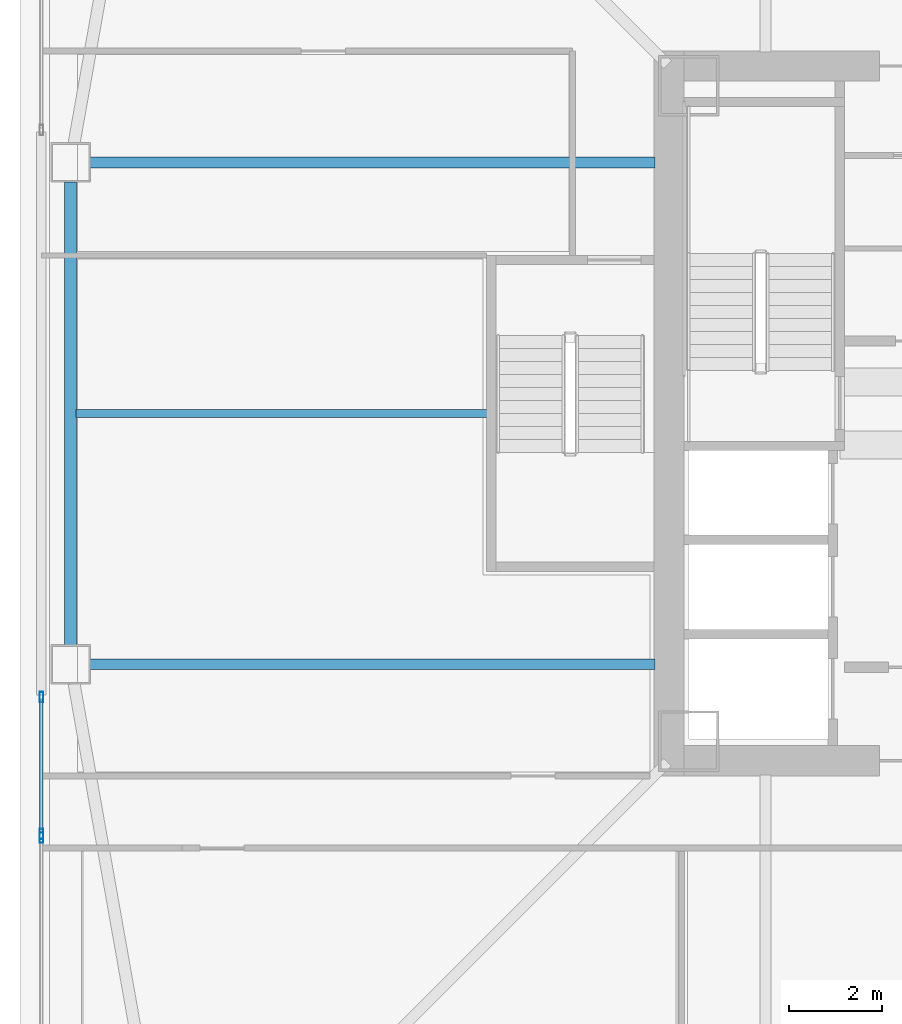
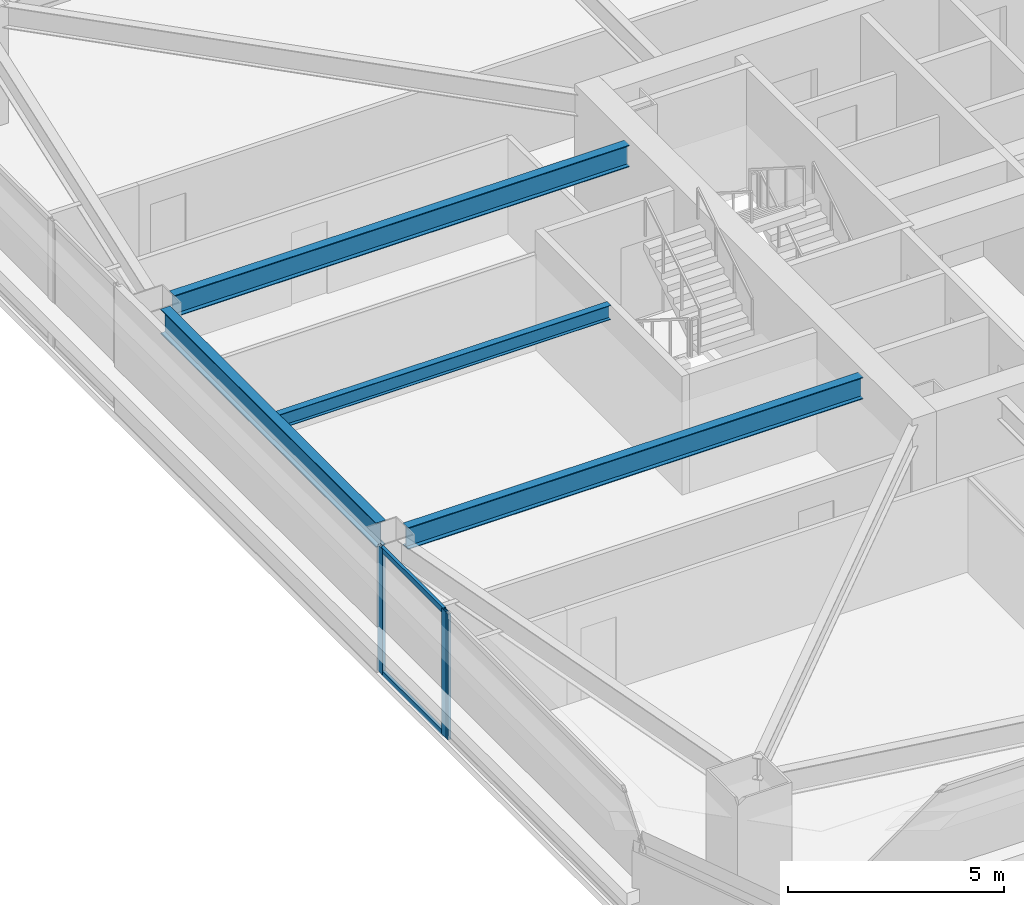
# One storey, part 6 of 46: 5 members, 4 beams, 2 elements without a shape of their own.
"""IFC4 building model written with IfcOpenShell, lengths in metres."""

from ifc_helpers import new_model, si_unit, direction, frame, origin, origin_2d, place, context, subcontext, project, spatial, hollow_rectangle, i_section, extrude, material, material_profile, profile_set, type_object, element, aggregate, save


model = new_model("IFC4")

# Units and contexts
model_context = context("Model", 3, precision=1e-05, world=origin(), true_north=direction((0.0, 1.0)))
body_context = subcontext(model_context, "Body", "Model", "MODEL_VIEW")
ifc_project = project(units=[si_unit("LENGTHUNIT", "METRE"), si_unit("AREAUNIT", "SQUARE_METRE"), si_unit("VOLUMEUNIT", "CUBIC_METRE"), si_unit("PLANEANGLEUNIT", "RADIAN"), si_unit("MASSUNIT", "GRAM", prefix="KILO")], contexts=[model_context])

# Site, building, storey
site_placement = place(None, origin())
site = spatial("IfcSite", under=ifc_project, at=site_placement, CompositionType="ELEMENT")
building_placement = place(site_placement, origin())
building = spatial("IfcBuilding", under=site, at=building_placement, Name="Tashvorn Skyway Center", CompositionType="ELEMENT")
storey_placement = place(building_placement, frame((0.0, 0.0, 99.14990234375)))
storey = spatial("IfcBuildingStorey", under=building, at=storey_placement, Name="L26", CompositionType="ELEMENT", Elevation=99.14990234375)

# Beams
ifc_material_1 = material(Name="Steel ASTM A992 Grade 50", Category="steel")
ifc_material_profile_1 = material_profile(ifc_material_1, i_section(OverallWidth=0.22998046875, OverallDepth=0.616943359375, WebThickness=0.01318359375, FlangeThickness=0.022216796875, at=origin_2d()), Name="W24X94")
ifc_profile_set_1 = profile_set([ifc_material_profile_1], Name="Steel ASTM A992 Grade 50")
beam_type_1 = type_object("IfcBeamType", Name="BM-BEAM-W24X94", PredefinedType="BEAM", material=ifc_profile_set_1)
for number, where, z_axis, x_axis, name in (
    (1, (22.070068359375, 37.39990234375, 3.04150390625), (1.0, 0.0, 0.0), (0.0, 1.0, 0.0), "Tower 1 L26 Primary Floor Girder FC-W1"),
    (2, (22.070068359375, 26.60009765625, 3.04150390625), (1.0, 0.0, 0.0), (0.0, 1.0, 0.0), "Tower 1 L26 Primary Floor Girder FC-W2"),
):
    element("IfcBeam", number, at=place(storey_placement, frame(where, z_axis=z_axis, x_axis=x_axis)), inside=storey, type_object=beam_type_1, Name=name, PredefinedType="BEAM", context=body_context, shape_type="SweptSolid", body=[
        extrude(i_section(OverallWidth=0.22998046875, OverallDepth=0.616943359375, WebThickness=0.01318359375, FlangeThickness=0.022216796875, at=origin_2d()), origin(), (0.0, 0.0, 1.0), 12.14990234375),
    ])
ifc_material_profile_2 = material_profile(ifc_material_1, i_section(OverallWidth=0.177978515625, OverallDepth=0.406005859375, WebThickness=0.0078125, FlangeThickness=0.0126953125, at=origin_2d()), Name="W16X40")
ifc_profile_set_2 = profile_set([ifc_material_profile_2], Name="Steel ASTM A992 Grade 50")
beam_type_2 = type_object("IfcBeamType", Name="BM-JOIST-W16X40", PredefinedType="JOIST", material=ifc_profile_set_2)
beam_1_placement = place(storey_placement, frame((30.610107421875, 32.0, 3.147216796875), z_axis=(-1.0, 0.0, 0.0), x_axis=(0.0, -1.0, 0.0)))
element("IfcBeam", 3, at=beam_1_placement, inside=storey, type_object=beam_type_2, Name="Tower 1 L26 Secondary Composite Joist JW", PredefinedType="JOIST", context=body_context, shape_type="SweptSolid", body=[
    extrude(i_section(OverallWidth=0.177978515625, OverallDepth=0.406005859375, WebThickness=0.0078125, FlangeThickness=0.0126953125, at=origin_2d()), origin(), (0.0, 0.0, 1.0), 8.840087890625),
])
ifc_material_profile_3 = material_profile(ifc_material_1, i_section(OverallWidth=0.256103515625, OverallDepth=0.693115234375, WebThickness=0.014404296875, FlangeThickness=0.023681640625, at=origin_2d()), Name="W27X114")
ifc_profile_set_3 = profile_set([ifc_material_profile_3], Name="Steel ASTM A992 Grade 50")
beam_type_3 = type_object("IfcBeamType", Name="BM-SPANDREL-W27X114", PredefinedType="SPANDREL", material=ifc_profile_set_3)
beam_2_placement = place(storey_placement, frame((21.64990234375, 36.97998046875, 3.003662109375), z_axis=(0.0, -1.0, 0.0), x_axis=(1.0, 0.0, 0.0)))
element("IfcBeam", 4, at=beam_2_placement, inside=storey, type_object=beam_type_3, Name="Tower 1 L26 Spandrel Beam 11", PredefinedType="SPANDREL", context=body_context, shape_type="SweptSolid", body=[
    extrude(i_section(OverallWidth=0.256103515625, OverallDepth=0.693115234375, WebThickness=0.014404296875, FlangeThickness=0.023681640625, at=origin_2d()), origin(), (0.0, 0.0, 1.0), 9.9599609375),
])

# Curtain wall, member
ifc_material_2 = material(Name="Thermally broken bronze-anodized aluminium 6063-T6", Category="aluminium")
curtain_wall_type = type_object("IfcCurtainWallType", Name="CW-CW-Z2", PredefinedType="NOTDEFINED", material=ifc_material_2)
curtain_wall_1_placement = place(storey_placement, origin())
curtain_wall_1 = element("IfcCurtainWall", 5, at=curtain_wall_1_placement, inside=storey, type_object=curtain_wall_type, Name="Tower 1 L26 West Unitised Curtain Wall Glazing Group 1", PredefinedType="NOTDEFINED")
ifc_material_profile_4 = material_profile(ifc_material_2, hollow_rectangle(XDim=0.080078125, YDim=0.219970703125, WallThickness=0.0048828125, at=origin_2d()), Name="ALU-MULL-80x220")
ifc_profile_set_4 = profile_set([ifc_material_profile_4], Name="Thermally broken bronze-anodized aluminium 6063-T6")
member_type_1 = type_object("IfcMemberType", Name="CWM-CW-Z2", PredefinedType="MULLION", material=ifc_profile_set_4)
member_1_placement = place(storey_placement, frame((21.02001953125, 22.8701171875, 0.0), z_axis=(0.0, 0.0, 1.0), x_axis=(-1.0, 0.0, 0.0)))
member_1 = element("IfcMember", 6, at=member_1_placement, type_object=member_type_1, Name="CW-Z2 mullion 2", PredefinedType="MULLION", context=body_context, shape_type="SweptSolid", body=[
    extrude(hollow_rectangle(XDim=0.080078125, YDim=0.219970703125, WallThickness=0.0048828125, at=origin_2d()), origin(), (0.0, 0.0, 1.0), 3.550048828125),
])
aggregate(curtain_wall_1, [member_1])

# Curtain wall, members
curtain_wall_2_placement = place(storey_placement, origin())
curtain_wall_2 = element("IfcCurtainWall", 7, at=curtain_wall_2_placement, inside=storey, type_object=curtain_wall_type, Name="Tower 1 L26 West Unitised Curtain Wall Glazing Group 2", PredefinedType="NOTDEFINED")
member_2_placement = place(storey_placement, frame((21.02001953125, 22.949951171875, 0.0), z_axis=(0.0, 0.0, 1.0), x_axis=(-1.0, 0.0, 0.0)))
member_2 = element("IfcMember", 8, at=member_2_placement, type_object=member_type_1, Name="CW-Z2 mullion 1", PredefinedType="MULLION", context=body_context, shape_type="SweptSolid", body=[
    extrude(hollow_rectangle(XDim=0.080078125, YDim=0.219970703125, WallThickness=0.0048828125, at=origin_2d()), origin(), (0.0, 0.0, 1.0), 3.550048828125),
])
member_3_placement = place(storey_placement, frame((21.02001953125, 25.89990234375, 0.0), z_axis=(0.0, 0.0, 1.0), x_axis=(-1.0, 0.0, 0.0)))
member_3 = element("IfcMember", 9, at=member_3_placement, type_object=member_type_1, Name="CW-Z2 mullion 2", PredefinedType="MULLION", context=body_context, shape_type="SweptSolid", body=[
    extrude(hollow_rectangle(XDim=0.080078125, YDim=0.219970703125, WallThickness=0.0048828125, at=origin_2d()), origin(), (0.0, 0.0, 1.0), 3.550048828125),
])
ifc_material_profile_5 = material_profile(ifc_material_2, hollow_rectangle(XDim=0.080078125, YDim=0.14990234375, WallThickness=0.00439453125, at=origin_2d()), Name="ALU-TRAN-80x150")
ifc_profile_set_5 = profile_set([ifc_material_profile_5], Name="Thermally broken bronze-anodized aluminium 6063-T6")
member_type_2 = type_object("IfcMemberType", Name="CWT-CW-Z2", PredefinedType="USERDEFINED", material=ifc_profile_set_5)
member_4_placement = place(storey_placement, frame((21.02001953125, 22.989990234375, 0.0400390625), z_axis=(0.0, 1.0, 0.0), x_axis=(-1.0, 0.0, 0.0)))
member_4 = element("IfcMember", 10, at=member_4_placement, type_object=member_type_2, Name="CW-Z2 transom 1.1", ObjectType="TRANSOM", PredefinedType="USERDEFINED", context=body_context, shape_type="SweptSolid", body=[
    extrude(hollow_rectangle(XDim=0.080078125, YDim=0.14990234375, WallThickness=0.00439453125, at=origin_2d()), origin(), (0.0, 0.0, 1.0), 2.8701171875),
])
member_5_placement = place(storey_placement, frame((21.02001953125, 22.989990234375, 3.510009765625), z_axis=(0.0, 1.0, 0.0), x_axis=(-1.0, 0.0, 0.0)))
member_5 = element("IfcMember", 11, at=member_5_placement, type_object=member_type_2, Name="CW-Z2 transom 1.2", ObjectType="TRANSOM", PredefinedType="USERDEFINED", context=body_context, shape_type="SweptSolid", body=[
    extrude(hollow_rectangle(XDim=0.080078125, YDim=0.14990234375, WallThickness=0.00439453125, at=origin_2d()), origin(), (0.0, 0.0, 1.0), 2.8701171875),
])
aggregate(curtain_wall_2, [member_2, member_3, member_4, member_5])

save(model, "model.ifc")
